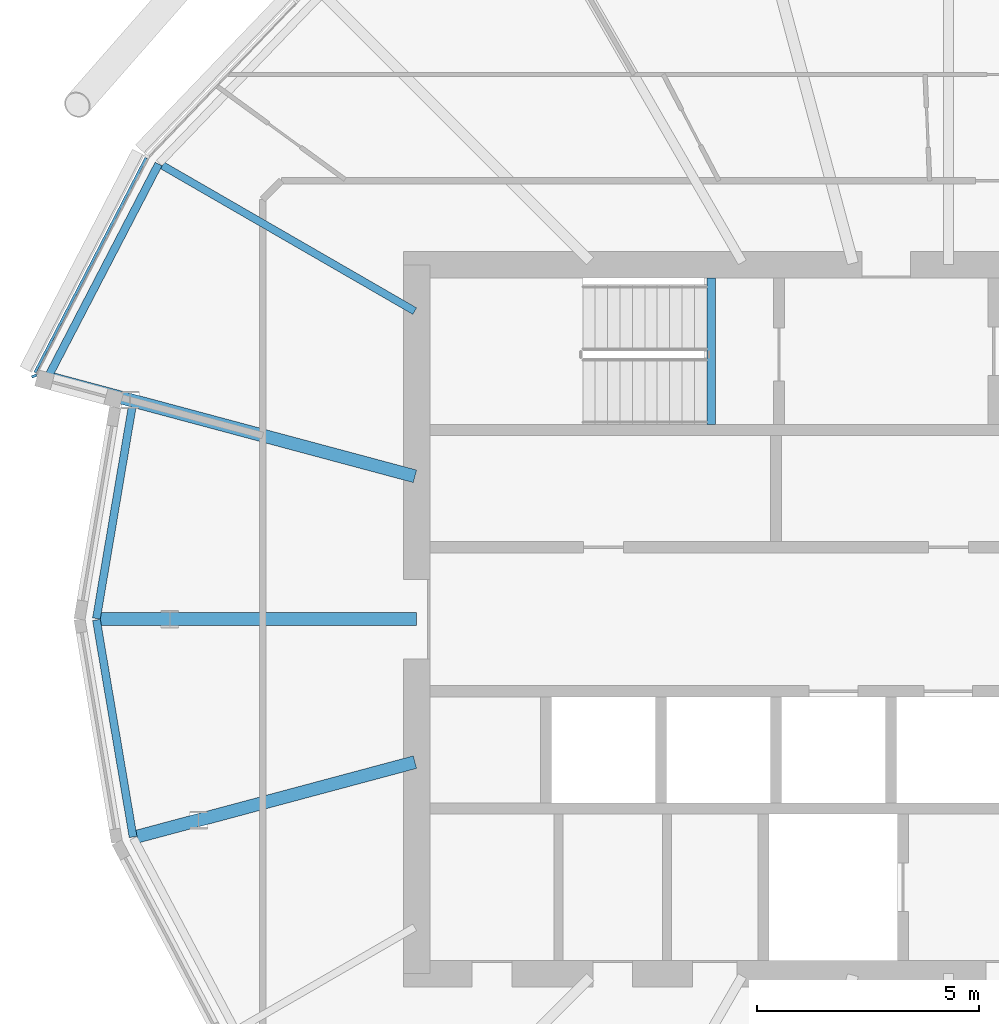
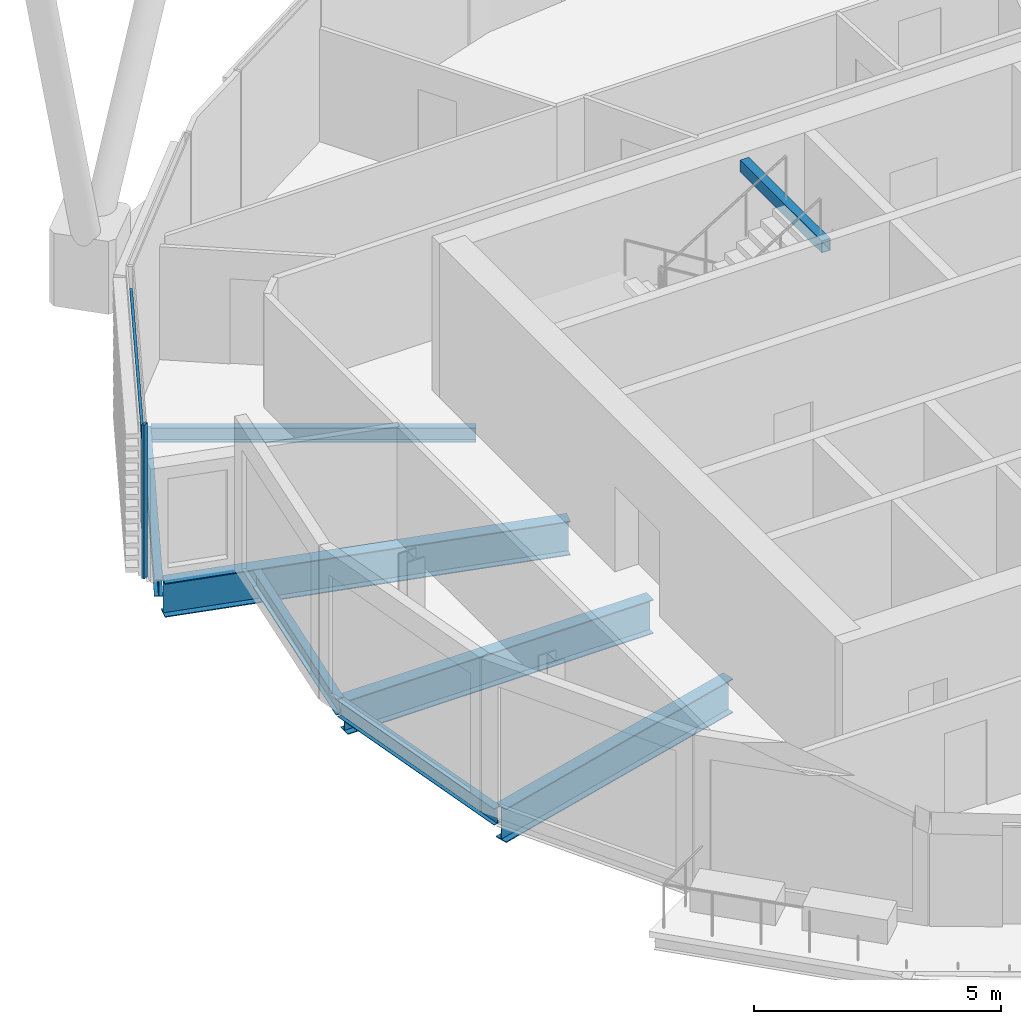
# One storey, part 5 of 36: 8 beams, 2 members, 1 element without a shape of its own.
"""IFC4 building model written with IfcOpenShell, lengths in metres."""

from ifc_helpers import new_model, si_unit, direction, frame, origin, origin_2d, place, context, subcontext, project, spatial, rectangle, hollow_rectangle, i_section, extrude, material, material_profile, profile_set, type_object, element, aggregate, save


model = new_model("IFC4")

# Units and contexts
model_context = context("Model", 3, precision=1e-05, world=origin(), true_north=direction((0.0, 1.0)))
body_context = subcontext(model_context, "Body", "Model", "MODEL_VIEW")
ifc_project = project(units=[si_unit("LENGTHUNIT", "METRE"), si_unit("AREAUNIT", "SQUARE_METRE"), si_unit("VOLUMEUNIT", "CUBIC_METRE"), si_unit("PLANEANGLEUNIT", "RADIAN"), si_unit("MASSUNIT", "GRAM", prefix="KILO")], contexts=[model_context])

# Site, building, storey
site_placement = place(None, origin())
site = spatial("IfcSite", under=ifc_project, at=site_placement, CompositionType="ELEMENT")
building_placement = place(site_placement, origin())
building = spatial("IfcBuilding", under=site, at=building_placement, Name="Rimbun Link Towers", CompositionType="ELEMENT")
storey_placement = place(building_placement, frame((0.0, 0.0, 193.10009765625)))
storey = spatial("IfcBuildingStorey", under=building, at=storey_placement, Name="L47", CompositionType="ELEMENT", Elevation=193.10009765625)

# Curtain wall, members
ifc_material_1 = material(Name="Aluminium 6063-T6 and low-iron glass", Category="aluminium")
curtain_wall_type = type_object("IfcCurtainWallType", Name="CW1-Z3 unitised vision wall (zone 3)", PredefinedType="NOTDEFINED", material=ifc_material_1)
curtain_wall_placement = place(storey_placement, origin())
curtain_wall = element("IfcCurtainWall", 1, at=curtain_wall_placement, inside=storey, type_object=curtain_wall_type, Name="CW1 L47 T1", PredefinedType="NOTDEFINED")
ifc_material_2 = material(Name="Aluminium 6063-T6", Category="aluminium")
ifc_material_profile_1 = material_profile(ifc_material_2, rectangle(XDim=0.1201171875, YDim=0.06005859375, at=origin_2d()), Name="MULLION 60X120")
ifc_profile_set_1 = profile_set([ifc_material_profile_1], Name="Aluminium 6063-T6")
member_type_1 = type_object("IfcMemberType", Name="CW1 mullion 60X120", PredefinedType="MULLION", material=ifc_profile_set_1)
member_1_placement = place(storey_placement, frame((-52.3818359375, 5.4892578125, 0.0), z_axis=(0.0, 0.0, 1.0), x_axis=(-0.914819776986, -0.403862322625, 0.0)))
member_1 = element("IfcMember", 2, at=member_1_placement, type_object=member_type_1, Name="CW1 mullion", PredefinedType="MULLION", context=body_context, shape_type="SweptSolid", body=[
    extrude(rectangle(XDim=0.1201171875, YDim=0.06005859375, at=origin_2d()), origin(), (0.0, 0.0, 1.0), 3.7998046875),
])
ifc_material_3 = material(Name="Aluminium 6063-T6", Category="aluminium")
ifc_material_profile_2 = material_profile(ifc_material_3, rectangle(XDim=0.06005859375, YDim=0.1201171875, at=origin_2d()), Name="TRANSOM 60X120")
ifc_profile_set_2 = profile_set([ifc_material_profile_2], Name="Aluminium 6063-T6")
member_type_2 = type_object("IfcMemberType", Name="CW1 transom 60X120", PredefinedType="USERDEFINED", material=ifc_profile_set_2)
member_2_placement = place(storey_placement, frame((-52.36474609375, 5.56689453125, 3.199951171875), z_axis=(0.459584716145, 0.888133936231, 0.0), x_axis=(-0.888133936231, 0.459584716145, 0.0)))
member_2 = element("IfcMember", 3, at=member_2_placement, type_object=member_type_2, Name="CW1 transom", ObjectType="TRANSOM", PredefinedType="USERDEFINED", context=body_context, shape_type="SweptSolid", body=[
    extrude(rectangle(XDim=0.06005859375, YDim=0.1201171875, at=origin_2d()), origin(), (0.0, 0.0, 1.0), 5.459228515625),
])
aggregate(curtain_wall, [member_1, member_2])

# Beams
ifc_material_4 = material(Name="Steel S355J2", Category="steel")
ifc_material_profile_3 = material_profile(ifc_material_4, hollow_rectangle(XDim=0.199951171875, YDim=0.300048828125, WallThickness=0.011962890625, at=origin_2d()), Name="BOX 300x200x12")
ifc_profile_set_3 = profile_set([ifc_material_profile_3], Name="Steel S355J2")
beam_type_1 = type_object("IfcBeamType", Name="Stair trimmer beam BOX 300x200x12", PredefinedType="BEAM", material=ifc_profile_set_3)
beam_1_placement = place(storey_placement, frame((-37.10009765625, 7.699951171875, 3.5), z_axis=(0.0, -1.0, 0.0), x_axis=(1.0, 0.0, 0.0)))
element("IfcBeam", 4, at=beam_1_placement, inside=storey, type_object=beam_type_1, Name="L47 ST1 stair beam 1", PredefinedType="BEAM", context=body_context, shape_type="SweptSolid", body=[
    extrude(hollow_rectangle(XDim=0.199951171875, YDim=0.300048828125, WallThickness=0.011962890625, at=origin_2d()), origin(), (0.0, 0.0, 1.0), 3.300048828125),
])
ifc_material_5 = material(Name="Steel S355J2", Category="steel")
ifc_material_profile_4 = material_profile(ifc_material_5, i_section(OverallWidth=0.17138671875, OverallDepth=0.35498046875, WebThickness=0.00732421875, FlangeThickness=0.011474609375, at=origin_2d()), Name="UB 356x171x51")
ifc_profile_set_4 = profile_set([ifc_material_profile_4], Name="Steel S355J2")
beam_type_2 = type_object("IfcBeamType", Name="UB 356x171x51", PredefinedType="BEAM", material=ifc_profile_set_4)
beam_2_placement = place(storey_placement, frame((-43.793701171875, 6.95361328125, -0.32763671875), z_axis=(-0.866041549256, 0.49997203418, 0.0), x_axis=(-0.49997203418, -0.866041549256, 0.0)))
element("IfcBeam", 5, at=beam_2_placement, inside=storey, type_object=beam_type_2, Name="Radial beam T1 L47 10", PredefinedType="BEAM", context=body_context, shape_type="SweptSolid", body=[
    extrude(i_section(OverallWidth=0.17138671875, OverallDepth=0.35498046875, WebThickness=0.00732421875, FlangeThickness=0.011474609375, at=origin_2d()), origin(), (0.0, 0.0, 1.0), 6.57666015625),
])
ifc_material_6 = material(Name="Steel S355J2", Category="steel")
ifc_material_profile_5 = material_profile(ifc_material_6, i_section(OverallWidth=0.177978515625, OverallDepth=0.406494140625, WebThickness=0.0078125, FlangeThickness=0.0126953125, at=origin_2d()), Name="UB 406x178x60")
ifc_profile_set_5 = profile_set([ifc_material_profile_5], Name="Steel S355J2")
beam_type_3 = type_object("IfcBeamType", Name="UB 406x178x60", PredefinedType="BEAM", material=ifc_profile_set_5)
beam_3_placement = place(storey_placement, frame((-49.57373046875, 10.274658203125, -0.353271484375), z_axis=(-0.460720742291, -0.887545152442, 0.0), x_axis=(0.887545152442, -0.460720742291, 0.0)))
element("IfcBeam", 6, at=beam_3_placement, inside=storey, type_object=beam_type_3, Name="Edge beam T1 L47 10", PredefinedType="BEAM", context=body_context, shape_type="SweptSolid", body=[
    extrude(i_section(OverallWidth=0.177978515625, OverallDepth=0.406494140625, WebThickness=0.0078125, FlangeThickness=0.0126953125, at=origin_2d()), origin(), (0.0, 0.0, 1.0), 5.43798828125),
])
beam_4_placement = place(storey_placement, frame((-50.17333984375, 4.775390625, -0.353271484375), z_axis=(-0.166555708034, -0.986032046194, 0.0), x_axis=(0.986032046194, -0.166555708034, 0.0)))
element("IfcBeam", 7, at=beam_4_placement, inside=storey, type_object=beam_type_3, Name="Edge beam T1 L47 11 recess", PredefinedType="BEAM", context=body_context, shape_type="SweptSolid", body=[
    extrude(i_section(OverallWidth=0.177978515625, OverallDepth=0.406494140625, WebThickness=0.0078125, FlangeThickness=0.0126953125, at=origin_2d()), origin(), (0.0, 0.0, 1.0), 4.826904296875),
])
beam_5_placement = place(storey_placement, frame((-50.977294921875, -0.015869140625, -0.353271484375), z_axis=(0.166550323315, -0.986032955739, 0.0), x_axis=(0.986032955739, 0.166550323315, 0.0)))
element("IfcBeam", 8, at=beam_5_placement, inside=storey, type_object=beam_type_3, Name="Edge beam T1 L47 12 recess", PredefinedType="BEAM", context=body_context, shape_type="SweptSolid", body=[
    extrude(i_section(OverallWidth=0.177978515625, OverallDepth=0.406494140625, WebThickness=0.0078125, FlangeThickness=0.0126953125, at=origin_2d()), origin(), (0.0, 0.0, 1.0), 4.9677734375),
])
ifc_material_7 = material(Name="Steel S355J2", Category="steel")
ifc_material_profile_6 = material_profile(ifc_material_7, i_section(OverallWidth=0.29248046875, OverallDepth=0.8408203125, WebThickness=0.0126953125, FlangeThickness=0.021728515625, at=origin_2d()), Name="UB 838x292x194")
ifc_profile_set_6 = profile_set([ifc_material_profile_6], Name="Steel S355J2")
beam_type_4 = type_object("IfcBeamType", Name="UB 838x292x194", PredefinedType="BEAM", material=ifc_profile_set_6)
beam_6_placement = place(storey_placement, frame((-43.788818359375, 3.225830078125, -0.570556640625), z_axis=(-0.96592405169, 0.258825667906, 0.0), x_axis=(-0.258825667906, -0.96592405169, 0.0)))
element("IfcBeam", 9, at=beam_6_placement, inside=storey, type_object=beam_type_4, Name="Radial beam T1 L47 11", PredefinedType="BEAM", context=body_context, shape_type="SweptSolid", body=[
    extrude(i_section(OverallWidth=0.29248046875, OverallDepth=0.8408203125, WebThickness=0.0126953125, FlangeThickness=0.021728515625, at=origin_2d()), origin(), (0.0, 0.0, 1.0), 8.4912109375),
])
beam_7_placement = place(storey_placement, frame((-43.7509765625, 0.0, -0.570556640625), z_axis=(-1.0, 0.0, 0.0), x_axis=(0.0, -1.0, 0.0)))
element("IfcBeam", 10, at=beam_7_placement, inside=storey, type_object=beam_type_4, Name="Radial beam T1 L47 12", PredefinedType="BEAM", context=body_context, shape_type="SweptSolid", body=[
    extrude(i_section(OverallWidth=0.29248046875, OverallDepth=0.8408203125, WebThickness=0.0126953125, FlangeThickness=0.021728515625, at=origin_2d()), origin(), (0.0, 0.0, 1.0), 7.13916015625),
])
beam_8_placement = place(storey_placement, frame((-43.788818359375, -3.225830078125, -0.570556640625), z_axis=(-0.965926567568, -0.258816278596, 0.0), x_axis=(0.258816278596, -0.965926567568, 0.0)))
element("IfcBeam", 11, at=beam_8_placement, inside=storey, type_object=beam_type_4, Name="Radial beam T1 L47 13", PredefinedType="BEAM", context=body_context, shape_type="SweptSolid", body=[
    extrude(i_section(OverallWidth=0.29248046875, OverallDepth=0.8408203125, WebThickness=0.0126953125, FlangeThickness=0.021728515625, at=origin_2d()), origin(), (0.0, 0.0, 1.0), 6.49267578125),
])

save(model, "model.ifc")
